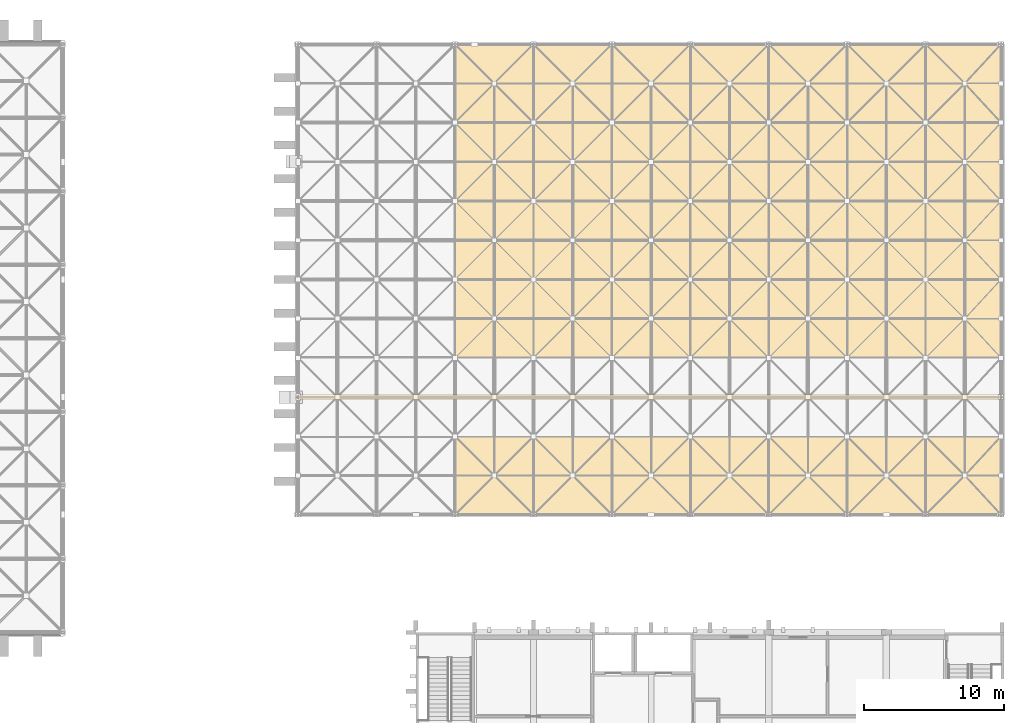
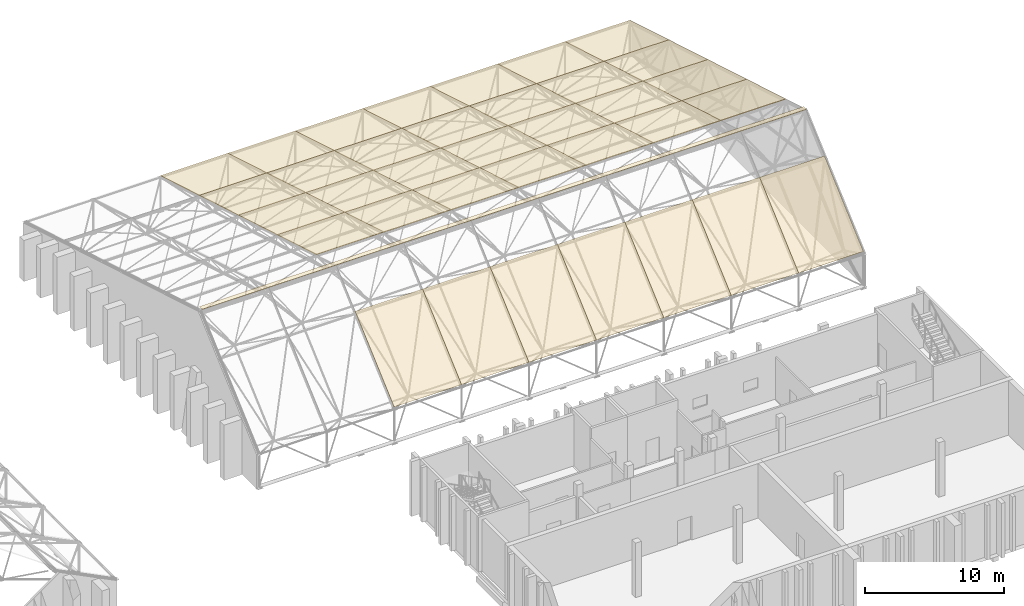
# One storey, part 100 of 100: 36 coverings.
"""IFC4 building model written with IfcOpenShell, lengths in metres."""

from ifc_helpers import new_model, si_unit, direction, frame, origin, origin_2d, place, context, subcontext, project, spatial, polyline, rectangle, outline, extrude, material, layer, layer_set, type_object, element, save


model = new_model("IFC4")

# Units and contexts
model_context = context("Model", 3, precision=1e-05, world=origin(), true_north=direction((0.0, 1.0)))
body_context = subcontext(model_context, "Body", "Model", "MODEL_VIEW")
ifc_project = project(units=[si_unit("LENGTHUNIT", "METRE"), si_unit("AREAUNIT", "SQUARE_METRE"), si_unit("VOLUMEUNIT", "CUBIC_METRE"), si_unit("PLANEANGLEUNIT", "RADIAN"), si_unit("MASSUNIT", "GRAM", prefix="KILO")], contexts=[model_context])

# Site, building, storey
site_placement = place(None, origin())
site = spatial("IfcSite", under=ifc_project, at=site_placement, CompositionType="ELEMENT")
building_placement = place(site_placement, origin())
building = spatial("IfcBuilding", under=site, at=building_placement, Name="Kiln Court Media Centre", CompositionType="ELEMENT")
storey_placement = place(building_placement, frame((0.0, 0.0, 15.0)))
storey = spatial("IfcBuildingStorey", under=building, at=storey_placement, Name="L03", CompositionType="ELEMENT", Elevation=15.0)

# Coverings
ifc_material_1 = material(Name="Aluminium 3004 H34", Category="aluminium")
ifc_layer_1 = layer(ifc_material_1, 0.02490234375)
ifc_layer_set_1 = layer_set([ifc_layer_1], Name="Aluminium ridge capping 3004 H34 25")
covering_type_1 = type_object("IfcCoveringType", Name="Aluminium ridge capping 3004 H34 25", PredefinedType="USERDEFINED", material=ifc_layer_set_1)
covering_1_placement = place(storey_placement, frame((142.693115234375, 42.0, 10.7060546875), z_axis=(0.0, 0.0, 1.0), x_axis=(1.0, 0.0, 0.0)))
element("IfcCovering", 1, at=covering_1_placement, inside=storey, type_object=covering_type_1, Name="V2 ridge capping", ObjectType="RIDGE CAP", PredefinedType="USERDEFINED", context=body_context, shape_type="SweptSolid", body=[
    extrude(rectangle(XDim=50.1865234375, YDim=0.39990234375, at=origin_2d()), origin(), (0.0, 0.0, 1.0), 0.02490234375),
])
ifc_material_2 = material(Name="Aluminium 3004 H34", Category="aluminium")
ifc_layer_2 = layer(ifc_material_2, 0.050048828125)
ifc_layer_set_2 = layer_set([ifc_layer_2], Name="Standing-seam aluminium roof panel 50")
covering_type_2 = type_object("IfcCoveringType", Name="Standing-seam aluminium roof panel 50", PredefinedType="ROOFING", material=ifc_layer_set_2)
covering_2_placement = place(storey_placement, frame((128.800048828125, 33.60009765625, 3.2138671875), z_axis=(0.0, -0.666025463167, 0.745929006282), x_axis=(0.0, 0.745929006282, 0.666025463167)))
element("IfcCovering", 2, at=covering_2_placement, inside=storey, type_object=covering_type_2, Name="V2 roof panel 1.3", PredefinedType="ROOFING", context=body_context, shape_type="SweptSolid", body=[
    extrude(outline(polyline([(0.0, 0.0), (7.507220484071164, 0.0), (7.507220484071164, -5.599853515625), (0.0, -5.599853515625), (0.0, 0.0)])), origin(), (0.0, 0.0, -1.0), 0.050048828125),
])
for number, where, z_axis, x_axis, name in (
    (3, (134.39990234375, 33.60009765625, 3.2138671875), (0.0, -0.666025463167, 0.745929006282), (0.0, 0.745929006282, 0.666025463167), "V2 roof panel 1.4"),
    (4, (140.0, 33.60009765625, 3.2138671875), (0.0, -0.666025463167, 0.745929006282), (0.0, 0.745929006282, 0.666025463167), "V2 roof panel 1.5"),
):
    element("IfcCovering", number, at=place(storey_placement, frame(where, z_axis=z_axis, x_axis=x_axis)), inside=storey, type_object=covering_type_2, Name=name, PredefinedType="ROOFING", context=body_context, shape_type="SweptSolid", body=[
        extrude(outline(polyline([(0.0, 0.0), (7.507220484071164, 0.0), (7.507220484071164, -5.60009765625), (0.0, -5.60009765625), (0.0, 0.0)])), origin(), (0.0, 0.0, -1.0), 0.050048828125),
    ])
covering_3_placement = place(storey_placement, frame((145.60009765625, 33.60009765625, 3.2138671875), z_axis=(0.0, -0.666025463167, 0.745929006282), x_axis=(0.0, 0.745929006282, 0.666025463167)))
element("IfcCovering", 5, at=covering_3_placement, inside=storey, type_object=covering_type_2, Name="V2 roof panel 1.6", PredefinedType="ROOFING", context=body_context, shape_type="SweptSolid", body=[
    extrude(outline(polyline([(0.0, 0.0), (7.507220484071164, 0.0), (7.507220484071164, -5.599853515625), (0.0, -5.599853515625), (0.0, 0.0)])), origin(), (0.0, 0.0, -1.0), 0.050048828125),
])
covering_4_placement = place(storey_placement, frame((151.199951171875, 33.60009765625, 3.2138671875), z_axis=(0.0, -0.666025463167, 0.745929006282), x_axis=(0.0, 0.745929006282, 0.666025463167)))
element("IfcCovering", 6, at=covering_4_placement, inside=storey, type_object=covering_type_2, Name="V2 roof panel 1.7", PredefinedType="ROOFING", context=body_context, shape_type="SweptSolid", body=[
    extrude(outline(polyline([(0.0, 0.0), (7.507220484071164, 0.0), (7.507220484071164, -5.60009765625), (0.0, -5.60009765625), (0.0, 0.0)])), origin(), (0.0, 0.0, -1.0), 0.050048828125),
])
covering_5_placement = place(storey_placement, frame((156.800048828125, 33.60009765625, 3.2138671875), z_axis=(0.0, -0.666025463167, 0.745929006282), x_axis=(0.0, 0.745929006282, 0.666025463167)))
element("IfcCovering", 7, at=covering_5_placement, inside=storey, type_object=covering_type_2, Name="V2 roof panel 1.8", PredefinedType="ROOFING", context=body_context, shape_type="SweptSolid", body=[
    extrude(outline(polyline([(0.0, 0.0), (7.507220484071164, 0.0), (7.507220484071164, -5.599853515625), (0.0, -5.599853515625), (0.0, 0.0)])), origin(), (0.0, 0.0, -1.0), 0.050048828125),
])
covering_6_placement = place(storey_placement, frame((162.39990234375, 33.60009765625, 3.2138671875), z_axis=(0.0, -0.666025463167, 0.745929006282), x_axis=(0.0, 0.745929006282, 0.666025463167)))
element("IfcCovering", 8, at=covering_6_placement, inside=storey, type_object=covering_type_2, Name="V2 roof panel 1.9", PredefinedType="ROOFING", context=body_context, shape_type="SweptSolid", body=[
    extrude(outline(polyline([(0.0, 0.0), (7.507220484071164, 0.0), (7.507220484071164, -5.386718750000001), (0.0, -5.386718750000001), (0.0, 0.0)])), origin(), (0.0, 0.0, -1.0), 0.050048828125),
])
covering_7_placement = place(storey_placement, frame((128.800048828125, 44.800048828125, 9.833251953125), z_axis=(0.0, 0.285273244649, 0.958446230045), x_axis=(0.0, 0.958446230045, -0.285273244649)))
element("IfcCovering", 9, at=covering_7_placement, inside=storey, type_object=covering_type_2, Name="V2 roof panel 4.3", PredefinedType="ROOFING", context=body_context, shape_type="SweptSolid", body=[
    extrude(outline(polyline([(0.0, 0.0), (5.842637114199316, 0.0), (5.842637114199316, -5.599853515625001), (0.0, -5.599853515625001), (0.0, 0.0)])), origin(), (0.0, 0.0, -1.0), 0.050048828125),
])
for number, where, z_axis, x_axis, name in (
    (10, (134.39990234375, 44.800048828125, 9.833251953125), (0.0, 0.285273244649, 0.958446230045), (0.0, 0.958446230045, -0.285273244649), "V2 roof panel 4.4"),
    (11, (140.0, 44.800048828125, 9.833251953125), (0.0, 0.285273244649, 0.958446230045), (0.0, 0.958446230045, -0.285273244649), "V2 roof panel 4.5"),
):
    element("IfcCovering", number, at=place(storey_placement, frame(where, z_axis=z_axis, x_axis=x_axis)), inside=storey, type_object=covering_type_2, Name=name, PredefinedType="ROOFING", context=body_context, shape_type="SweptSolid", body=[
        extrude(outline(polyline([(0.0, 0.0), (5.842637114199316, 0.0), (5.842637114199316, -5.600097656249999), (0.0, -5.600097656249999), (0.0, 0.0)])), origin(), (0.0, 0.0, -1.0), 0.050048828125),
    ])
covering_8_placement = place(storey_placement, frame((145.60009765625, 44.800048828125, 9.833251953125), z_axis=(0.0, 0.285273244649, 0.958446230045), x_axis=(0.0, 0.958446230045, -0.285273244649)))
element("IfcCovering", 12, at=covering_8_placement, inside=storey, type_object=covering_type_2, Name="V2 roof panel 4.6", PredefinedType="ROOFING", context=body_context, shape_type="SweptSolid", body=[
    extrude(outline(polyline([(0.0, 0.0), (5.842637114199316, 0.0), (5.842637114199316, -5.599853515625001), (0.0, -5.599853515625001), (0.0, 0.0)])), origin(), (0.0, 0.0, -1.0), 0.050048828125),
])
covering_9_placement = place(storey_placement, frame((151.199951171875, 44.800048828125, 9.833251953125), z_axis=(0.0, 0.285273244649, 0.958446230045), x_axis=(0.0, 0.958446230045, -0.285273244649)))
element("IfcCovering", 13, at=covering_9_placement, inside=storey, type_object=covering_type_2, Name="V2 roof panel 4.7", PredefinedType="ROOFING", context=body_context, shape_type="SweptSolid", body=[
    extrude(outline(polyline([(0.0, 0.0), (5.842637114199316, 0.0), (5.842637114199316, -5.600097656249999), (0.0, -5.600097656249999), (0.0, 0.0)])), origin(), (0.0, 0.0, -1.0), 0.050048828125),
])
covering_10_placement = place(storey_placement, frame((156.800048828125, 44.800048828125, 9.833251953125), z_axis=(0.0, 0.285273244649, 0.958446230045), x_axis=(0.0, 0.958446230045, -0.285273244649)))
element("IfcCovering", 14, at=covering_10_placement, inside=storey, type_object=covering_type_2, Name="V2 roof panel 4.8", PredefinedType="ROOFING", context=body_context, shape_type="SweptSolid", body=[
    extrude(outline(polyline([(0.0, 0.0), (5.842637114199316, 0.0), (5.842637114199316, -5.599853515625001), (0.0, -5.599853515625001), (0.0, 0.0)])), origin(), (0.0, 0.0, -1.0), 0.050048828125),
])
covering_11_placement = place(storey_placement, frame((162.39990234375, 44.800048828125, 9.833251953125), z_axis=(0.0, 0.285273244649, 0.958446230045), x_axis=(0.0, 0.958446230045, -0.285273244649)))
element("IfcCovering", 15, at=covering_11_placement, inside=storey, type_object=covering_type_2, Name="V2 roof panel 4.9", PredefinedType="ROOFING", context=body_context, shape_type="SweptSolid", body=[
    extrude(outline(polyline([(0.0, 0.0), (5.842637114199316, 0.0), (5.842637114199316, -5.38671875), (0.0, -5.38671875), (0.0, 0.0)])), origin(), (0.0, 0.0, -1.0), 0.050048828125),
])
covering_12_placement = place(storey_placement, frame((128.800048828125, 50.39990234375, 8.16650390625), z_axis=(0.0, 0.285261819988, 0.958449630422), x_axis=(0.0, 0.958449630422, -0.285261819988)))
element("IfcCovering", 16, at=covering_12_placement, inside=storey, type_object=covering_type_2, Name="V2 roof panel 5.3", PredefinedType="ROOFING", context=body_context, shape_type="SweptSolid", body=[
    extrude(outline(polyline([(0.0, 0.0), (5.8428711102760404, 0.0), (5.8428711102760404, -5.599853515625), (0.0, -5.599853515625), (0.0, 0.0)])), origin(), (0.0, 0.0, -1.0), 0.050048828125),
])
for number, where, z_axis, x_axis, name in (
    (17, (134.39990234375, 50.39990234375, 8.16650390625), (0.0, 0.285261819988, 0.958449630422), (0.0, 0.958449630422, -0.285261819988), "V2 roof panel 5.4"),
    (18, (140.0, 50.39990234375, 8.16650390625), (0.0, 0.285261819988, 0.958449630422), (0.0, 0.958449630422, -0.285261819988), "V2 roof panel 5.5"),
):
    element("IfcCovering", number, at=place(storey_placement, frame(where, z_axis=z_axis, x_axis=x_axis)), inside=storey, type_object=covering_type_2, Name=name, PredefinedType="ROOFING", context=body_context, shape_type="SweptSolid", body=[
        extrude(outline(polyline([(0.0, 0.0), (5.8428711102760404, 0.0), (5.8428711102760404, -5.60009765625), (0.0, -5.60009765625), (0.0, 0.0)])), origin(), (0.0, 0.0, -1.0), 0.050048828125),
    ])
covering_13_placement = place(storey_placement, frame((145.60009765625, 50.39990234375, 8.16650390625), z_axis=(0.0, 0.285261819988, 0.958449630422), x_axis=(0.0, 0.958449630422, -0.285261819988)))
element("IfcCovering", 19, at=covering_13_placement, inside=storey, type_object=covering_type_2, Name="V2 roof panel 5.6", PredefinedType="ROOFING", context=body_context, shape_type="SweptSolid", body=[
    extrude(outline(polyline([(0.0, 0.0), (5.8428711102760404, 0.0), (5.8428711102760404, -5.599853515625), (0.0, -5.599853515625), (0.0, 0.0)])), origin(), (0.0, 0.0, -1.0), 0.050048828125),
])
covering_14_placement = place(storey_placement, frame((151.199951171875, 50.39990234375, 8.16650390625), z_axis=(0.0, 0.285261819988, 0.958449630422), x_axis=(0.0, 0.958449630422, -0.285261819988)))
element("IfcCovering", 20, at=covering_14_placement, inside=storey, type_object=covering_type_2, Name="V2 roof panel 5.7", PredefinedType="ROOFING", context=body_context, shape_type="SweptSolid", body=[
    extrude(outline(polyline([(0.0, 0.0), (5.8428711102760404, 0.0), (5.8428711102760404, -5.60009765625), (0.0, -5.60009765625), (0.0, 0.0)])), origin(), (0.0, 0.0, -1.0), 0.050048828125),
])
covering_15_placement = place(storey_placement, frame((156.800048828125, 50.39990234375, 8.16650390625), z_axis=(0.0, 0.285261819988, 0.958449630422), x_axis=(0.0, 0.958449630422, -0.285261819988)))
element("IfcCovering", 21, at=covering_15_placement, inside=storey, type_object=covering_type_2, Name="V2 roof panel 5.8", PredefinedType="ROOFING", context=body_context, shape_type="SweptSolid", body=[
    extrude(outline(polyline([(0.0, 0.0), (5.8428711102760404, 0.0), (5.8428711102760404, -5.599853515625), (0.0, -5.599853515625), (0.0, 0.0)])), origin(), (0.0, 0.0, -1.0), 0.050048828125),
])
covering_16_placement = place(storey_placement, frame((162.39990234375, 50.39990234375, 8.16650390625), z_axis=(0.0, 0.285261819988, 0.958449630422), x_axis=(0.0, 0.958449630422, -0.285261819988)))
element("IfcCovering", 22, at=covering_16_placement, inside=storey, type_object=covering_type_2, Name="V2 roof panel 5.9", PredefinedType="ROOFING", context=body_context, shape_type="SweptSolid", body=[
    extrude(outline(polyline([(0.0, 0.0), (5.8428711102760404, 0.0), (5.8428711102760404, -5.38671875), (0.0, -5.38671875), (0.0, 0.0)])), origin(), (0.0, 0.0, -1.0), 0.050048828125),
])
covering_17_placement = place(storey_placement, frame((128.800048828125, 56.0, 6.499755859375), z_axis=(0.0, 0.285223435116, 0.958461054013), x_axis=(0.0, 0.958461054013, -0.285223435116)))
element("IfcCovering", 23, at=covering_17_placement, inside=storey, type_object=covering_type_2, Name="V2 roof panel 6.3", PredefinedType="ROOFING", context=body_context, shape_type="SweptSolid", body=[
    extrude(outline(polyline([(0.0, 0.0), (5.8428014709626455, 0.0), (5.8428014709626455, -5.599853515625), (0.0, -5.599853515625), (0.0, 0.0)])), origin(), (0.0, 0.0, -1.0), 0.050048828125),
])
for number, where, z_axis, x_axis, name in (
    (24, (134.39990234375, 56.0, 6.499755859375), (0.0, 0.285223435116, 0.958461054013), (0.0, 0.958461054013, -0.285223435116), "V2 roof panel 6.4"),
    (25, (140.0, 56.0, 6.499755859375), (0.0, 0.285223435116, 0.958461054013), (0.0, 0.958461054013, -0.285223435116), "V2 roof panel 6.5"),
):
    element("IfcCovering", number, at=place(storey_placement, frame(where, z_axis=z_axis, x_axis=x_axis)), inside=storey, type_object=covering_type_2, Name=name, PredefinedType="ROOFING", context=body_context, shape_type="SweptSolid", body=[
        extrude(outline(polyline([(0.0, 0.0), (5.8428014709626455, 0.0), (5.8428014709626455, -5.60009765625), (0.0, -5.60009765625), (0.0, 0.0)])), origin(), (0.0, 0.0, -1.0), 0.050048828125),
    ])
covering_18_placement = place(storey_placement, frame((145.60009765625, 56.0, 6.499755859375), z_axis=(0.0, 0.285223435116, 0.958461054013), x_axis=(0.0, 0.958461054013, -0.285223435116)))
element("IfcCovering", 26, at=covering_18_placement, inside=storey, type_object=covering_type_2, Name="V2 roof panel 6.6", PredefinedType="ROOFING", context=body_context, shape_type="SweptSolid", body=[
    extrude(outline(polyline([(0.0, 0.0), (5.8428014709626455, 0.0), (5.8428014709626455, -5.599853515625), (0.0, -5.599853515625), (0.0, 0.0)])), origin(), (0.0, 0.0, -1.0), 0.050048828125),
])
covering_19_placement = place(storey_placement, frame((151.199951171875, 56.0, 6.499755859375), z_axis=(0.0, 0.285223435116, 0.958461054013), x_axis=(0.0, 0.958461054013, -0.285223435116)))
element("IfcCovering", 27, at=covering_19_placement, inside=storey, type_object=covering_type_2, Name="V2 roof panel 6.7", PredefinedType="ROOFING", context=body_context, shape_type="SweptSolid", body=[
    extrude(outline(polyline([(0.0, 0.0), (5.8428014709626455, 0.0), (5.8428014709626455, -5.60009765625), (0.0, -5.60009765625), (0.0, 0.0)])), origin(), (0.0, 0.0, -1.0), 0.050048828125),
])
covering_20_placement = place(storey_placement, frame((156.800048828125, 56.0, 6.499755859375), z_axis=(0.0, 0.285223435116, 0.958461054013), x_axis=(0.0, 0.958461054013, -0.285223435116)))
element("IfcCovering", 28, at=covering_20_placement, inside=storey, type_object=covering_type_2, Name="V2 roof panel 6.8", PredefinedType="ROOFING", context=body_context, shape_type="SweptSolid", body=[
    extrude(outline(polyline([(0.0, 0.0), (5.8428014709626455, 0.0), (5.8428014709626455, -5.599853515625), (0.0, -5.599853515625), (0.0, 0.0)])), origin(), (0.0, 0.0, -1.0), 0.050048828125),
])
covering_21_placement = place(storey_placement, frame((162.39990234375, 56.0, 6.499755859375), z_axis=(0.0, 0.285223435116, 0.958461054013), x_axis=(0.0, 0.958461054013, -0.285223435116)))
element("IfcCovering", 29, at=covering_21_placement, inside=storey, type_object=covering_type_2, Name="V2 roof panel 6.9", PredefinedType="ROOFING", context=body_context, shape_type="SweptSolid", body=[
    extrude(outline(polyline([(0.0, 0.0), (5.8428014709626455, 0.0), (5.8428014709626455, -5.38671875), (0.0, -5.38671875), (0.0, 0.0)])), origin(), (0.0, 0.0, -1.0), 0.050048828125),
])
covering_22_placement = place(storey_placement, frame((128.800048828125, 61.60009765625, 4.833251953125), z_axis=(0.0, 0.285273244649, 0.958446230045), x_axis=(0.0, 0.958446230045, -0.285273244649)))
element("IfcCovering", 30, at=covering_22_placement, inside=storey, type_object=covering_type_2, Name="V2 roof panel 7.3", PredefinedType="ROOFING", context=body_context, shape_type="SweptSolid", body=[
    extrude(outline(polyline([(0.0, 0.0), (5.842637114199316, 0.0), (5.842637114199316, -5.599853515625001), (0.0, -5.599853515625001), (0.0, 0.0)])), origin(), (0.0, 0.0, -1.0), 0.050048828125),
])
for number, where, z_axis, x_axis, name in (
    (31, (134.39990234375, 61.60009765625, 4.833251953125), (0.0, 0.285273244649, 0.958446230045), (0.0, 0.958446230045, -0.285273244649), "V2 roof panel 7.4"),
    (32, (140.0, 61.60009765625, 4.833251953125), (0.0, 0.285273244649, 0.958446230045), (0.0, 0.958446230045, -0.285273244649), "V2 roof panel 7.5"),
):
    element("IfcCovering", number, at=place(storey_placement, frame(where, z_axis=z_axis, x_axis=x_axis)), inside=storey, type_object=covering_type_2, Name=name, PredefinedType="ROOFING", context=body_context, shape_type="SweptSolid", body=[
        extrude(outline(polyline([(0.0, 0.0), (5.842637114199316, 0.0), (5.842637114199316, -5.600097656249999), (0.0, -5.600097656249999), (0.0, 0.0)])), origin(), (0.0, 0.0, -1.0), 0.050048828125),
    ])
covering_23_placement = place(storey_placement, frame((145.60009765625, 61.60009765625, 4.833251953125), z_axis=(0.0, 0.285273244649, 0.958446230045), x_axis=(0.0, 0.958446230045, -0.285273244649)))
element("IfcCovering", 33, at=covering_23_placement, inside=storey, type_object=covering_type_2, Name="V2 roof panel 7.6", PredefinedType="ROOFING", context=body_context, shape_type="SweptSolid", body=[
    extrude(outline(polyline([(0.0, 0.0), (5.842637114199316, 0.0), (5.842637114199316, -5.599853515625001), (0.0, -5.599853515625001), (0.0, 0.0)])), origin(), (0.0, 0.0, -1.0), 0.050048828125),
])
covering_24_placement = place(storey_placement, frame((151.199951171875, 61.60009765625, 4.833251953125), z_axis=(0.0, 0.285273244649, 0.958446230045), x_axis=(0.0, 0.958446230045, -0.285273244649)))
element("IfcCovering", 34, at=covering_24_placement, inside=storey, type_object=covering_type_2, Name="V2 roof panel 7.7", PredefinedType="ROOFING", context=body_context, shape_type="SweptSolid", body=[
    extrude(outline(polyline([(0.0, 0.0), (5.842637114199316, 0.0), (5.842637114199316, -5.600097656249999), (0.0, -5.600097656249999), (0.0, 0.0)])), origin(), (0.0, 0.0, -1.0), 0.050048828125),
])
covering_25_placement = place(storey_placement, frame((156.800048828125, 61.60009765625, 4.833251953125), z_axis=(0.0, 0.285273244649, 0.958446230045), x_axis=(0.0, 0.958446230045, -0.285273244649)))
element("IfcCovering", 35, at=covering_25_placement, inside=storey, type_object=covering_type_2, Name="V2 roof panel 7.8", PredefinedType="ROOFING", context=body_context, shape_type="SweptSolid", body=[
    extrude(outline(polyline([(0.0, 0.0), (5.842637114199316, 0.0), (5.842637114199316, -5.599853515625001), (0.0, -5.599853515625001), (0.0, 0.0)])), origin(), (0.0, 0.0, -1.0), 0.050048828125),
])
covering_26_placement = place(storey_placement, frame((162.39990234375, 61.60009765625, 4.833251953125), z_axis=(0.0, 0.285273244649, 0.958446230045), x_axis=(0.0, 0.958446230045, -0.285273244649)))
element("IfcCovering", 36, at=covering_26_placement, inside=storey, type_object=covering_type_2, Name="V2 roof panel 7.9", PredefinedType="ROOFING", context=body_context, shape_type="SweptSolid", body=[
    extrude(outline(polyline([(0.0, 0.0), (5.842637114199316, 0.0), (5.842637114199316, -5.38671875), (0.0, -5.38671875), (0.0, 0.0)])), origin(), (0.0, 0.0, -1.0), 0.050048828125),
])

save(model, "model.ifc")
